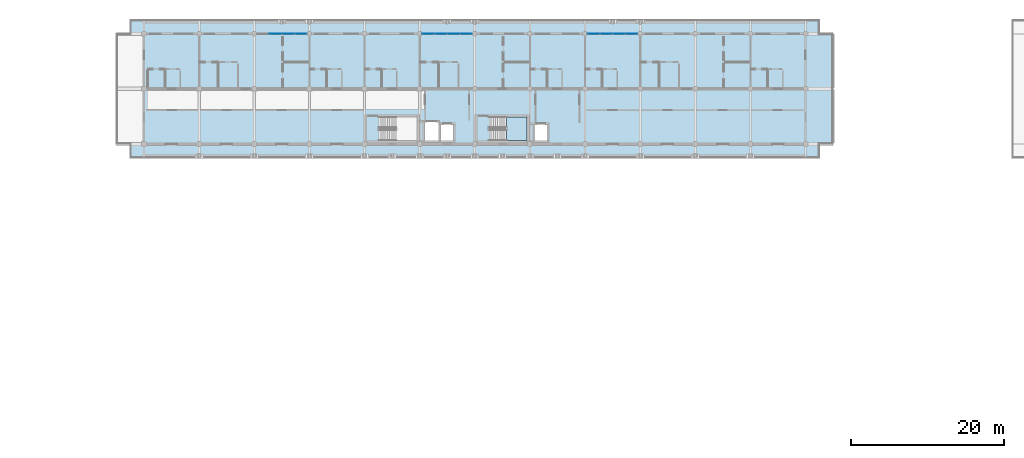
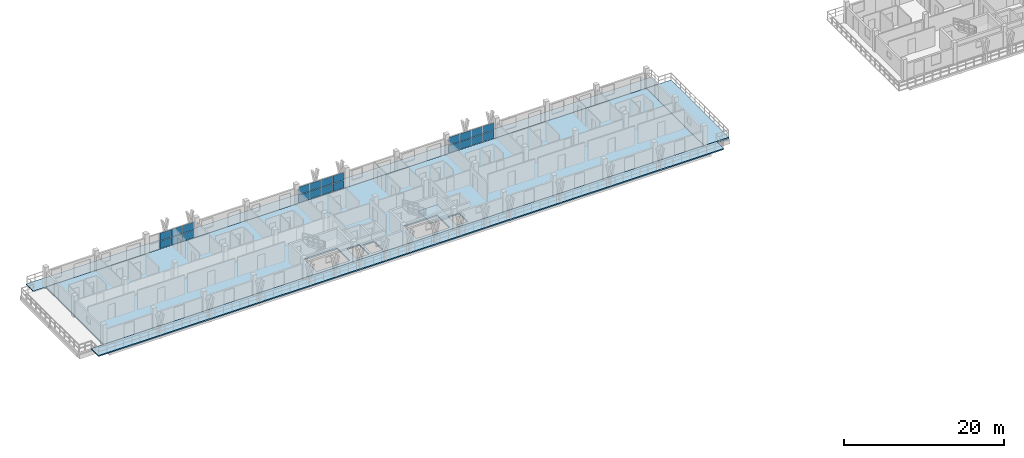
# One storey, part 30 of 65: 22 plates, 5 slabs, 4 elements without a shape of their own.
"""IFC4 building model written with IfcOpenShell, lengths in metres."""

import ifcopenshell
import ifcopenshell.guid

model = None  # the IFC model being written
_history = None  # IfcOwnerHistory: only IFC2X3 demands one
_inside = {}  # id of a spatial element -> (the spatial element, [elements in it])
_under = {}  # id of a project, library or spatial element -> (it, [spatial elements below it])
_declared = {}  # id of a project -> (the project, [libraries it declares])
_typed = {}  # id of a type object -> (the type object, [elements of that type])
_made_of = {}  # id of a material, layer set ... -> (it, [elements and type objects made of it])


def new_model(schema):
    """Start an empty IFC model of exactly this schema.

    Asked for "IFC4X3", IfcOpenShell would pick the latest addendum, in which some entities
    have other attributes; the version numbers below select the first issue.
    IFC2X3 requires an IfcOwnerHistory on every rooted entity: one is made here for all.
    """
    global model, _history
    if schema == "IFC4X3":
        model = ifcopenshell.file(schema_version=(4, 3, 0, 0))
    else:
        model = ifcopenshell.file(schema=schema)
    _inside.clear()
    _under.clear()
    _declared.clear()
    _typed.clear()
    _made_of.clear()
    _history = None
    if model.schema == "IFC2X3":
        org = make("IfcOrganization", Name="unknown")
        user = make(
            "IfcPersonAndOrganization",
            ThePerson=make("IfcPerson", FamilyName="unknown"),
            TheOrganization=org,
        )
        app = make(
            "IfcApplication",
            ApplicationDeveloper=org,
            Version="unknown",
            ApplicationFullName="unknown",
            ApplicationIdentifier="unknown",
        )
        _history = make(
            "IfcOwnerHistory",
            OwningUser=user,
            OwningApplication=app,
            ChangeAction="ADDED",
            CreationDate=0,
        )
    return model


def make(cls, **values):
    """One entity of the class cls with the attributes given. An attribute that is None is left unset."""
    return model.create_entity(
        cls, **{name: value for name, value in values.items() if value is not None}
    )


def rooted(cls, **values):
    """An entity with a GlobalId (a new one), such as an element, a storey or a relation."""
    return make(cls, GlobalId=ifcopenshell.guid.new(), OwnerHistory=_history, **values)


def si_unit(unit_type, name, prefix=None):
    """IfcSIUnit, for example si_unit("LENGTHUNIT", "METRE", prefix="MILLI")."""
    return make("IfcSIUnit", UnitType=unit_type, Prefix=prefix, Name=name)


def assignment(units):
    """IfcUnitAssignment: the units of a project."""
    return None if units is None else make("IfcUnitAssignment", Units=units)


def point(xyz):
    """IfcCartesianPoint."""
    return None if xyz is None else make("IfcCartesianPoint", Coordinates=xyz)


def direction(xyz):
    """IfcDirection."""
    return None if xyz is None else make("IfcDirection", DirectionRatios=xyz)


def frame(location, z_axis=None, x_axis=None):
    """IfcAxis2Placement3D, a coordinate frame: its origin and axes. An axis left out is left unset."""
    return make(
        "IfcAxis2Placement3D",
        Location=point(location),
        Axis=direction(z_axis),
        RefDirection=direction(x_axis),
    )


def frame_2d(location, x_axis=None):
    """IfcAxis2Placement2D, a coordinate frame in the plane: its origin and x axis."""
    return make(
        "IfcAxis2Placement2D", Location=point(location), RefDirection=direction(x_axis)
    )


def origin():
    """The frame at (0, 0, 0) with its axes left unset."""
    return frame((0.0, 0.0, 0.0))


def origin_2d():
    """The frame at (0, 0) in the plane with its x axis left unset."""
    return frame_2d((0.0, 0.0))


def place(relative_to, where):
    """IfcLocalPlacement: puts the frame where relative to a parent placement (None: the world)."""
    return make(
        "IfcLocalPlacement", PlacementRelTo=relative_to, RelativePlacement=where
    )


def context(
    kind, dimensions, precision=None, world=None, true_north=None, identifier=None
):
    """IfcGeometricRepresentationContext, for example the 3D "Model" context."""
    return make(
        "IfcGeometricRepresentationContext",
        ContextIdentifier=identifier,
        ContextType=kind,
        CoordinateSpaceDimension=dimensions,
        Precision=precision,
        WorldCoordinateSystem=world,
        TrueNorth=true_north,
    )


def subcontext(parent, identifier, kind, view, scale=None):
    """IfcGeometricRepresentationSubContext, for example "Body" below "Model"."""
    return make(
        "IfcGeometricRepresentationSubContext",
        ContextIdentifier=identifier,
        ContextType=kind,
        ParentContext=parent,
        TargetScale=scale,
        TargetView=view,
    )


def project(units=None, contexts=None):
    """IfcProject with its units and contexts."""
    return rooted(
        "IfcProject",
        Name="project",
        RepresentationContexts=contexts,
        UnitsInContext=assignment(units),
    )


def spatial(cls, under=None, at=None, **own):
    """A site, building, storey or space (cls), placed at a placement, below another one or the project."""
    s = rooted(cls, ObjectPlacement=at, **own)
    if under is not None:
        _under.setdefault(under.id(), (under, []))[1].append(s)
    return s


def polyline(points):
    """IfcPolyline through the points."""
    return make("IfcPolyline", Points=[point(p) for p in points])


def profile(cls, at=None, kind="AREA", **sizes):
    """A parametric profile (cls). Its sizes go by their IFC names, for example OverallWidth=200.0."""
    return make(cls, ProfileType=kind, Position=at, **sizes)


def rectangle(**sizes):
    """IfcRectangleProfileDef."""
    return profile("IfcRectangleProfileDef", **sizes)


def outline(outer, holes=None, kind="AREA"):
    """IfcArbitraryClosedProfileDef: a profile drawn as a closed curve; with holes, ...WithVoids."""
    if holes is None:
        return make("IfcArbitraryClosedProfileDef", ProfileType=kind, OuterCurve=outer)
    return make(
        "IfcArbitraryProfileDefWithVoids",
        ProfileType=kind,
        OuterCurve=outer,
        InnerCurves=holes,
    )


def extrude(swept, where, along, depth):
    """IfcExtrudedAreaSolid: the profile swept, set in the frame where, extruded along a direction by depth."""
    return make(
        "IfcExtrudedAreaSolid",
        SweptArea=swept,
        Position=where,
        ExtrudedDirection=direction(along),
        Depth=depth,
    )


def shape(context_of_items, identifier, shape_type, items):
    """IfcShapeRepresentation: the items that make up one representation, for example the "Body"."""
    return make(
        "IfcShapeRepresentation",
        ContextOfItems=context_of_items,
        RepresentationIdentifier=identifier,
        RepresentationType=shape_type,
        Items=items,
    )


def material(Name=None, Category=None):
    """IfcMaterial."""
    return make("IfcMaterial", Name=Name, Category=Category)


def layer(
    of_material, thickness, ventilated=None, Name=None, Category=None, Priority=None
):
    """IfcMaterialLayer: one layer of a wall or slab, of a material (None: an air gap)."""
    return make(
        "IfcMaterialLayer",
        Material=of_material,
        LayerThickness=thickness,
        IsVentilated=ventilated,
        Name=Name,
        Category=Category,
        Priority=Priority,
    )


def layer_set(layers, Name=None):
    """IfcMaterialLayerSet."""
    return make("IfcMaterialLayerSet", MaterialLayers=layers, LayerSetName=Name)


def made_of(thing, what):
    """Note that an element or type object is made of a material, layer set ...; save() writes the relation."""
    if what is not None:
        _made_of.setdefault(what.id(), (what, []))[1].append(thing)
    return thing


def type_object(cls, material=None, **own):
    """A type object (cls), such as IfcWallType, which elements share."""
    return made_of(rooted(cls, **own), material)


def element(
    cls,
    number,
    at=None,
    inside=None,
    cuts=None,
    type_object=None,
    material=None,
    context=None,
    identifier="Body",
    shape_type=None,
    held_by="IfcProductDefinitionShape",
    body=None,
    shapes=None,
    **own,
):
    """One element of the class cls, such as IfcWall. Its Tag is "e" and its number.

    at: its placement. inside: the storey or other place that contains it. cuts: it is an
    opening in that element (IfcRelVoidsElement). A single representation is given by context,
    identifier, shape_type and body (its items); several are given by shapes. held_by: the class
    of the entity that holds the representations. save() writes the other relations.
    """
    e = rooted(cls, Tag="e%d" % number, ObjectPlacement=at, **own)
    if body is not None:
        shapes = [shape(context, identifier, shape_type, body)]
    if shapes is not None:
        e.Representation = make(held_by, Representations=shapes)
    if inside is not None:
        _inside.setdefault(inside.id(), (inside, []))[1].append(e)
    if cuts is not None:
        rooted(
            "IfcRelVoidsElement", RelatingBuildingElement=cuts, RelatedOpeningElement=e
        )
    if type_object is not None:
        _typed.setdefault(type_object.id(), (type_object, []))[1].append(e)
    return made_of(e, material)


def aggregate(whole, parts):
    """IfcRelAggregates: a whole, such as a stair, and the parts it consists of."""
    return rooted("IfcRelAggregates", RelatingObject=whole, RelatedObjects=parts)


def save(model, path):
    """Write the relations noted so far, then the file.

    IfcRelAggregates (storeys below a building ...), IfcRelContainedInSpatialStructure (elements
    in a storey), IfcRelDefinesByType, IfcRelAssociatesMaterial and IfcRelDeclares: one each for
    every whole, place, type object, material and project.
    """
    for whole, parts in _under.values():
        aggregate(whole, parts)
    for where, things in _inside.values():
        rooted(
            "IfcRelContainedInSpatialStructure",
            RelatedElements=things,
            RelatingStructure=where,
        )
    for kind, things in _typed.values():
        rooted("IfcRelDefinesByType", RelatedObjects=things, RelatingType=kind)
    for what, things in _made_of.values():
        rooted("IfcRelAssociatesMaterial", RelatedObjects=things, RelatingMaterial=what)
    for by, libraries in _declared.values():
        rooted("IfcRelDeclares", RelatingContext=by, RelatedDefinitions=libraries)
    model.write(path)


model = new_model("IFC4")

# Units and contexts
model_context = context("Model", 3, precision=1e-05, world=origin(), true_north=direction((0.0, 1.0)))
body_context = subcontext(model_context, "Body", "Model", "MODEL_VIEW")
ifc_project = project(units=[si_unit("LENGTHUNIT", "METRE"), si_unit("AREAUNIT", "SQUARE_METRE"), si_unit("VOLUMEUNIT", "CUBIC_METRE"), si_unit("PLANEANGLEUNIT", "RADIAN"), si_unit("MASSUNIT", "GRAM", prefix="KILO")], contexts=[model_context])

# Site, building, storey
site_placement = place(None, origin())
site = spatial("IfcSite", under=ifc_project, at=site_placement, CompositionType="ELEMENT")
building_placement = place(site_placement, origin())
building = spatial("IfcBuilding", under=site, at=building_placement, Name="Suanplinth Sawtooth Commons", CompositionType="ELEMENT")
storey_placement = place(building_placement, frame((0.0, 0.0, 28.300048828125)))
storey = spatial("IfcBuildingStorey", under=building, at=storey_placement, Name="L08", CompositionType="ELEMENT", Elevation=28.300048828125)

# Curtain wall, plates
ifc_material_1 = material(Name="Anodized aluminium and low-E glazing", Category="aluminium")
curtain_wall_type = type_object("IfcCurtainWallType", Name="CW-06", PredefinedType="USERDEFINED", material=ifc_material_1)
curtain_wall_1_placement = place(storey_placement, origin())
curtain_wall_1 = element("IfcCurtainWall", 1, at=curtain_wall_1_placement, inside=storey, type_object=curtain_wall_type, Name="Curtain Wall CW-L08-A-LOUNGE-2", ObjectType="CURTAIN WALL", PredefinedType="USERDEFINED")
ifc_material_2 = material(Name="Tempered low-E double glazing", Category="glass")
ifc_layer_1 = layer(ifc_material_2, 0.028076171875, Name="Vision low-E insulated glazing unit 28mm")
ifc_layer_set_1 = layer_set([ifc_layer_1], Name="Tempered low-E double glazing")
plate_type = type_object("IfcPlateType", Name="PL-05", PredefinedType="CURTAIN_PANEL", material=ifc_layer_set_1)
plate_1_placement = place(storey_placement, frame((31.574951171875, 122.39990234375, 0.06494140625), z_axis=(0.0, 0.0, 1.0), x_axis=(1.0, 0.0, 0.0)))
plate_1 = element("IfcPlate", 2, at=plate_1_placement, type_object=plate_type, Name="CW-06 panel 2.1", PredefinedType="CURTAIN_PANEL", context=body_context, shape_type="SweptSolid", body=[
    extrude(rectangle(XDim=1.5849609375, YDim=0.028076171875, at=origin_2d()), origin(), (0.0, 0.0, 1.0), 1.152587890625),
])
plate_2_placement = place(storey_placement, frame((31.574951171875, 122.39990234375, 1.2822265625), z_axis=(0.0, 0.0, 1.0), x_axis=(1.0, 0.0, 0.0)))
plate_2 = element("IfcPlate", 3, at=plate_2_placement, type_object=plate_type, Name="CW-06 panel 2.2", PredefinedType="CURTAIN_PANEL", context=body_context, shape_type="SweptSolid", body=[
    extrude(rectangle(XDim=1.5849609375, YDim=0.028076171875, at=origin_2d()), origin(), (0.0, 0.0, 1.0), 1.152587890625),
])
plate_3_placement = place(storey_placement, frame((33.22509765625, 122.39990234375, 0.06494140625), z_axis=(0.0, 0.0, 1.0), x_axis=(1.0, 0.0, 0.0)))
plate_3 = element("IfcPlate", 4, at=plate_3_placement, type_object=plate_type, Name="CW-06 panel 3.1", PredefinedType="CURTAIN_PANEL", context=body_context, shape_type="SweptSolid", body=[
    extrude(rectangle(XDim=1.5849609375, YDim=0.028076171875, at=origin_2d()), origin(), (0.0, 0.0, 1.0), 1.152587890625),
])
plate_4_placement = place(storey_placement, frame((33.22509765625, 122.39990234375, 1.2822265625), z_axis=(0.0, 0.0, 1.0), x_axis=(1.0, 0.0, 0.0)))
plate_4 = element("IfcPlate", 5, at=plate_4_placement, type_object=plate_type, Name="CW-06 panel 3.2", PredefinedType="CURTAIN_PANEL", context=body_context, shape_type="SweptSolid", body=[
    extrude(rectangle(XDim=1.5849609375, YDim=0.028076171875, at=origin_2d()), origin(), (0.0, 0.0, 1.0), 1.152587890625),
])
plate_5_placement = place(storey_placement, frame((34.858642578125, 122.39990234375, 0.06494140625), z_axis=(0.0, 0.0, 1.0), x_axis=(1.0, 0.0, 0.0)))
plate_5 = element("IfcPlate", 6, at=plate_5_placement, type_object=plate_type, Name="CW-06 panel 4.1", PredefinedType="CURTAIN_PANEL", context=body_context, shape_type="SweptSolid", body=[
    extrude(rectangle(XDim=1.552490234375, YDim=0.028076171875, at=origin_2d()), origin(), (0.0, 0.0, 1.0), 1.152587890625),
])
plate_6_placement = place(storey_placement, frame((34.858642578125, 122.39990234375, 1.2822265625), z_axis=(0.0, 0.0, 1.0), x_axis=(1.0, 0.0, 0.0)))
plate_6 = element("IfcPlate", 7, at=plate_6_placement, type_object=plate_type, Name="CW-06 panel 4.2", PredefinedType="CURTAIN_PANEL", context=body_context, shape_type="SweptSolid", body=[
    extrude(rectangle(XDim=1.552490234375, YDim=0.028076171875, at=origin_2d()), origin(), (0.0, 0.0, 1.0), 1.152587890625),
])
aggregate(curtain_wall_1, [plate_1, plate_2, plate_3, plate_4, plate_5, plate_6])

curtain_wall_2_placement = place(storey_placement, origin())
curtain_wall_2 = element("IfcCurtainWall", 8, at=curtain_wall_2_placement, inside=storey, type_object=curtain_wall_type, Name="Curtain Wall CW-L08-A-LOUNGE-5", ObjectType="CURTAIN WALL", PredefinedType="USERDEFINED")
plate_7_placement = place(storey_placement, frame((51.541259765625, 122.39990234375, 0.06494140625), z_axis=(0.0, 0.0, 1.0), x_axis=(1.0, 0.0, 0.0)))
plate_7 = element("IfcPlate", 9, at=plate_7_placement, type_object=plate_type, Name="CW-06 panel 1.1", PredefinedType="CURTAIN_PANEL", context=body_context, shape_type="SweptSolid", body=[
    extrude(rectangle(XDim=1.552490234375, YDim=0.028076171875, at=origin_2d()), origin(), (0.0, 0.0, 1.0), 1.152587890625),
])
plate_8_placement = place(storey_placement, frame((51.541259765625, 122.39990234375, 1.2822265625), z_axis=(0.0, 0.0, 1.0), x_axis=(1.0, 0.0, 0.0)))
plate_8 = element("IfcPlate", 10, at=plate_8_placement, type_object=plate_type, Name="CW-06 panel 1.2", PredefinedType="CURTAIN_PANEL", context=body_context, shape_type="SweptSolid", body=[
    extrude(rectangle(XDim=1.552490234375, YDim=0.028076171875, at=origin_2d()), origin(), (0.0, 0.0, 1.0), 1.152587890625),
])
plate_9_placement = place(storey_placement, frame((53.175048828125, 122.39990234375, 0.06494140625), z_axis=(0.0, 0.0, 1.0), x_axis=(1.0, 0.0, 0.0)))
plate_9 = element("IfcPlate", 11, at=plate_9_placement, type_object=plate_type, Name="CW-06 panel 2.1", PredefinedType="CURTAIN_PANEL", context=body_context, shape_type="SweptSolid", body=[
    extrude(rectangle(XDim=1.5849609375, YDim=0.028076171875, at=origin_2d()), origin(), (0.0, 0.0, 1.0), 1.152587890625),
])
plate_10_placement = place(storey_placement, frame((53.175048828125, 122.39990234375, 1.2822265625), z_axis=(0.0, 0.0, 1.0), x_axis=(1.0, 0.0, 0.0)))
plate_10 = element("IfcPlate", 12, at=plate_10_placement, type_object=plate_type, Name="CW-06 panel 2.2", PredefinedType="CURTAIN_PANEL", context=body_context, shape_type="SweptSolid", body=[
    extrude(rectangle(XDim=1.5849609375, YDim=0.028076171875, at=origin_2d()), origin(), (0.0, 0.0, 1.0), 1.152587890625),
])
plate_11_placement = place(storey_placement, frame((54.824951171875, 122.39990234375, 0.06494140625), z_axis=(0.0, 0.0, 1.0), x_axis=(1.0, 0.0, 0.0)))
plate_11 = element("IfcPlate", 13, at=plate_11_placement, type_object=plate_type, Name="CW-06 panel 3.1", PredefinedType="CURTAIN_PANEL", context=body_context, shape_type="SweptSolid", body=[
    extrude(rectangle(XDim=1.5849609375, YDim=0.028076171875, at=origin_2d()), origin(), (0.0, 0.0, 1.0), 1.152587890625),
])
plate_12_placement = place(storey_placement, frame((54.824951171875, 122.39990234375, 1.2822265625), z_axis=(0.0, 0.0, 1.0), x_axis=(1.0, 0.0, 0.0)))
plate_12 = element("IfcPlate", 14, at=plate_12_placement, type_object=plate_type, Name="CW-06 panel 3.2", PredefinedType="CURTAIN_PANEL", context=body_context, shape_type="SweptSolid", body=[
    extrude(rectangle(XDim=1.5849609375, YDim=0.028076171875, at=origin_2d()), origin(), (0.0, 0.0, 1.0), 1.152587890625),
])
plate_13_placement = place(storey_placement, frame((56.458740234375, 122.39990234375, 0.06494140625), z_axis=(0.0, 0.0, 1.0), x_axis=(1.0, 0.0, 0.0)))
plate_13 = element("IfcPlate", 15, at=plate_13_placement, type_object=plate_type, Name="CW-06 panel 4.1", PredefinedType="CURTAIN_PANEL", context=body_context, shape_type="SweptSolid", body=[
    extrude(rectangle(XDim=1.552490234375, YDim=0.028076171875, at=origin_2d()), origin(), (0.0, 0.0, 1.0), 1.152587890625),
])
plate_14_placement = place(storey_placement, frame((56.458740234375, 122.39990234375, 1.2822265625), z_axis=(0.0, 0.0, 1.0), x_axis=(1.0, 0.0, 0.0)))
plate_14 = element("IfcPlate", 16, at=plate_14_placement, type_object=plate_type, Name="CW-06 panel 4.2", PredefinedType="CURTAIN_PANEL", context=body_context, shape_type="SweptSolid", body=[
    extrude(rectangle(XDim=1.552490234375, YDim=0.028076171875, at=origin_2d()), origin(), (0.0, 0.0, 1.0), 1.152587890625),
])
aggregate(curtain_wall_2, [plate_7, plate_8, plate_9, plate_10, plate_11, plate_12, plate_13, plate_14])

curtain_wall_3_placement = place(storey_placement, origin())
curtain_wall_3 = element("IfcCurtainWall", 17, at=curtain_wall_3_placement, inside=storey, type_object=curtain_wall_type, Name="Curtain Wall CW-L08-A-LOUNGE-8", ObjectType="CURTAIN WALL", PredefinedType="USERDEFINED")
plate_15_placement = place(storey_placement, frame((73.141357421875, 122.39990234375, 0.06494140625), z_axis=(0.0, 0.0, 1.0), x_axis=(1.0, 0.0, 0.0)))
plate_15 = element("IfcPlate", 18, at=plate_15_placement, type_object=plate_type, Name="CW-06 panel 1.1", PredefinedType="CURTAIN_PANEL", context=body_context, shape_type="SweptSolid", body=[
    extrude(rectangle(XDim=1.552490234375, YDim=0.028076171875, at=origin_2d()), origin(), (0.0, 0.0, 1.0), 1.152587890625),
])
plate_16_placement = place(storey_placement, frame((73.141357421875, 122.39990234375, 1.2822265625), z_axis=(0.0, 0.0, 1.0), x_axis=(1.0, 0.0, 0.0)))
plate_16 = element("IfcPlate", 19, at=plate_16_placement, type_object=plate_type, Name="CW-06 panel 1.2", PredefinedType="CURTAIN_PANEL", context=body_context, shape_type="SweptSolid", body=[
    extrude(rectangle(XDim=1.552490234375, YDim=0.028076171875, at=origin_2d()), origin(), (0.0, 0.0, 1.0), 1.152587890625),
])
plate_17_placement = place(storey_placement, frame((74.77490234375, 122.39990234375, 0.06494140625), z_axis=(0.0, 0.0, 1.0), x_axis=(1.0, 0.0, 0.0)))
plate_17 = element("IfcPlate", 20, at=plate_17_placement, type_object=plate_type, Name="CW-06 panel 2.1", PredefinedType="CURTAIN_PANEL", context=body_context, shape_type="SweptSolid", body=[
    extrude(rectangle(XDim=1.5849609375, YDim=0.028076171875, at=origin_2d()), origin(), (0.0, 0.0, 1.0), 1.152587890625),
])
plate_18_placement = place(storey_placement, frame((74.77490234375, 122.39990234375, 1.2822265625), z_axis=(0.0, 0.0, 1.0), x_axis=(1.0, 0.0, 0.0)))
plate_18 = element("IfcPlate", 21, at=plate_18_placement, type_object=plate_type, Name="CW-06 panel 2.2", PredefinedType="CURTAIN_PANEL", context=body_context, shape_type="SweptSolid", body=[
    extrude(rectangle(XDim=1.5849609375, YDim=0.028076171875, at=origin_2d()), origin(), (0.0, 0.0, 1.0), 1.152587890625),
])
plate_19_placement = place(storey_placement, frame((76.425048828125, 122.39990234375, 0.06494140625), z_axis=(0.0, 0.0, 1.0), x_axis=(1.0, 0.0, 0.0)))
plate_19 = element("IfcPlate", 22, at=plate_19_placement, type_object=plate_type, Name="CW-06 panel 3.1", PredefinedType="CURTAIN_PANEL", context=body_context, shape_type="SweptSolid", body=[
    extrude(rectangle(XDim=1.5849609375, YDim=0.028076171875, at=origin_2d()), origin(), (0.0, 0.0, 1.0), 1.152587890625),
])
plate_20_placement = place(storey_placement, frame((76.425048828125, 122.39990234375, 1.2822265625), z_axis=(0.0, 0.0, 1.0), x_axis=(1.0, 0.0, 0.0)))
plate_20 = element("IfcPlate", 23, at=plate_20_placement, type_object=plate_type, Name="CW-06 panel 3.2", PredefinedType="CURTAIN_PANEL", context=body_context, shape_type="SweptSolid", body=[
    extrude(rectangle(XDim=1.5849609375, YDim=0.028076171875, at=origin_2d()), origin(), (0.0, 0.0, 1.0), 1.152587890625),
])
plate_21_placement = place(storey_placement, frame((78.058837890625, 122.39990234375, 0.06494140625), z_axis=(0.0, 0.0, 1.0), x_axis=(1.0, 0.0, 0.0)))
plate_21 = element("IfcPlate", 24, at=plate_21_placement, type_object=plate_type, Name="CW-06 panel 4.1", PredefinedType="CURTAIN_PANEL", context=body_context, shape_type="SweptSolid", body=[
    extrude(rectangle(XDim=1.552490234375, YDim=0.028076171875, at=origin_2d()), origin(), (0.0, 0.0, 1.0), 1.152587890625),
])
plate_22_placement = place(storey_placement, frame((78.058837890625, 122.39990234375, 1.2822265625), z_axis=(0.0, 0.0, 1.0), x_axis=(1.0, 0.0, 0.0)))
plate_22 = element("IfcPlate", 25, at=plate_22_placement, type_object=plate_type, Name="CW-06 panel 4.2", PredefinedType="CURTAIN_PANEL", context=body_context, shape_type="SweptSolid", body=[
    extrude(rectangle(XDim=1.552490234375, YDim=0.028076171875, at=origin_2d()), origin(), (0.0, 0.0, 1.0), 1.152587890625),
])
aggregate(curtain_wall_3, [plate_15, plate_16, plate_17, plate_18, plate_19, plate_20, plate_21, plate_22])

# Slabs
ifc_material_3 = material(Name="Precast concrete C40/50", Category="concrete")
ifc_layer_2 = layer(ifc_material_3, 0.179931640625, Name="Wrap-around cantilevered precast balcony slab 180mm")
ifc_layer_set_2 = layer_set([ifc_layer_2], Name="Precast concrete C40/50")
slab_type_1 = type_object("IfcSlabType", Name="S-BL01", PredefinedType="FLOOR", material=ifc_layer_set_2)
slab_1_placement = place(storey_placement, frame((0.0, 0.0, -0.179931640625)))
element("IfcSlab", 26, at=slab_1_placement, inside=storey, type_object=slab_type_1, Name="L08 Block A Wrap-Around Balcony N", PredefinedType="FLOOR", context=body_context, shape_type="SweptSolid", body=[
    extrude(outline(polyline([(12.60009765625, 124.199951171875), (102.60009765625, 124.199951171875), (102.60009765625, 122.39990234375), (12.60009765625, 122.39990234375), (12.60009765625, 124.199951171875)])), origin(), (0.0, 0.0, 1.0), 0.179931640625),
])
slab_2_placement = place(storey_placement, frame((0.0, 0.0, -0.179931640625)))
element("IfcSlab", 27, at=slab_2_placement, inside=storey, type_object=slab_type_1, Name="L08 Block A Wrap-Around Balcony S", PredefinedType="FLOOR", context=body_context, shape_type="SweptSolid", body=[
    extrude(outline(polyline([(102.60009765625, 106.199951171875), (12.60009765625, 106.199951171875), (12.60009765625, 108.0), (102.60009765625, 108.0), (102.60009765625, 106.199951171875)])), origin(), (0.0, 0.0, 1.0), 0.179931640625),
])
ifc_layer_3 = layer(ifc_material_3, 0.2099609375, Name="Precast hollow-core + topping floor slab 210mm")
ifc_layer_set_3 = layer_set([ifc_layer_3], Name="Precast concrete C40/50")
slab_type_2 = type_object("IfcSlabType", Name="S-FL04", PredefinedType="FLOOR", material=ifc_layer_set_3)
slab_3_placement = place(storey_placement, frame((0.0, 0.0, -0.2099609375)))
element("IfcSlab", 28, at=slab_3_placement, inside=storey, type_object=slab_type_2, Name="L08 Block A Structural Floor Plate", PredefinedType="FLOOR", context=body_context, shape_type="SweptSolid", body=[
    extrude(outline(polyline([(14.39990234375, 108.0), (100.800048828125, 108.0), (100.800048828125, 122.39990234375), (14.39990234375, 122.39990234375), (14.39990234375, 108.0)]), holes=[polyline([(45.2900390625, 108.449951171875), (50.050048828125, 108.449951171875), (50.050048828125, 111.550048828125), (45.2900390625, 111.550048828125), (45.2900390625, 108.449951171875)]), polyline([(51.050048828125, 108.449951171875), (52.85009765625, 108.449951171875), (52.85009765625, 110.85009765625), (51.050048828125, 110.85009765625), (51.050048828125, 108.449951171875)]), polyline([(53.199951171875, 108.449951171875), (54.800048828125, 108.449951171875), (54.800048828125, 110.550048828125), (53.199951171875, 110.550048828125), (53.199951171875, 108.449951171875)]), polyline([(59.68994140625, 108.449951171875), (64.449951171875, 108.449951171875), (64.449951171875, 111.550048828125), (59.68994140625, 111.550048828125), (59.68994140625, 108.449951171875)]), polyline([(65.449951171875, 108.449951171875), (67.050048828125, 108.449951171875), (67.050048828125, 110.550048828125), (65.449951171875, 110.550048828125), (65.449951171875, 108.449951171875)])]), origin(), (0.0, 0.0, 1.0), 0.2099609375),
])

# Stair, slab
ifc_material_4 = material(Name="Concrete C40/50", Category="concrete")
stair_type = type_object("IfcStairType", Name="ST-03", PredefinedType="USERDEFINED", material=ifc_material_4)
stair_placement = place(storey_placement, origin())
stair = element("IfcStair", 29, at=stair_placement, inside=storey, type_object=stair_type, Name="L08 Exit Stair ST-N2", ObjectType="TWO_RETURN_STAIR", PredefinedType="USERDEFINED")
ifc_layer_4 = layer(ifc_material_4, 0.199951171875, Name="Reinforced concrete stair and ramp landing slab 200mm")
ifc_layer_set_4 = layer_set([ifc_layer_4], Name="Concrete C40/50")
slab_type_3 = type_object("IfcSlabType", Name="S-LD01", PredefinedType="LANDING", material=ifc_layer_set_4)
slab_4_placement = place(storey_placement, frame((0.0, 0.0, 1.39990234375)))
slab_4 = element("IfcSlab", 30, at=slab_4_placement, type_object=slab_type_3, Name="ST-03 landing 1", PredefinedType="LANDING", context=body_context, shape_type="SweptSolid", body=[
    extrude(outline(polyline([(61.72998046875, 108.449951171875), (64.449951171875, 108.449951171875), (64.449951171875, 111.550048828125), (61.72998046875, 111.550048828125), (61.72998046875, 108.449951171875)])), origin(), (0.0, 0.0, 1.0), 0.199951171875),
])
aggregate(stair, [slab_4])

# Slab
ifc_layer_5 = layer(ifc_material_4, 0.239990234375, Name="Stepped sky-terrace & courtyard garden slab 240mm")
ifc_layer_set_5 = layer_set([ifc_layer_5], Name="Concrete C40/50")
slab_type_4 = type_object("IfcSlabType", Name="S-TR01", PredefinedType="FLOOR", material=ifc_layer_set_5)
slab_5_placement = place(storey_placement, frame((0.0, 0.0, -0.239990234375)))
element("IfcSlab", 31, at=slab_5_placement, inside=storey, type_object=slab_type_4, Name="L08 Block A Stepped Sky-Terrace 2", PredefinedType="FLOOR", context=body_context, shape_type="SweptSolid", body=[
    extrude(outline(polyline([(104.39990234375, 122.39990234375), (104.39990234375, 108.0), (100.800048828125, 108.0), (100.800048828125, 122.39990234375), (104.39990234375, 122.39990234375)])), origin(), (0.0, 0.0, 1.0), 0.239990234375),
])

save(model, "model.ifc")
